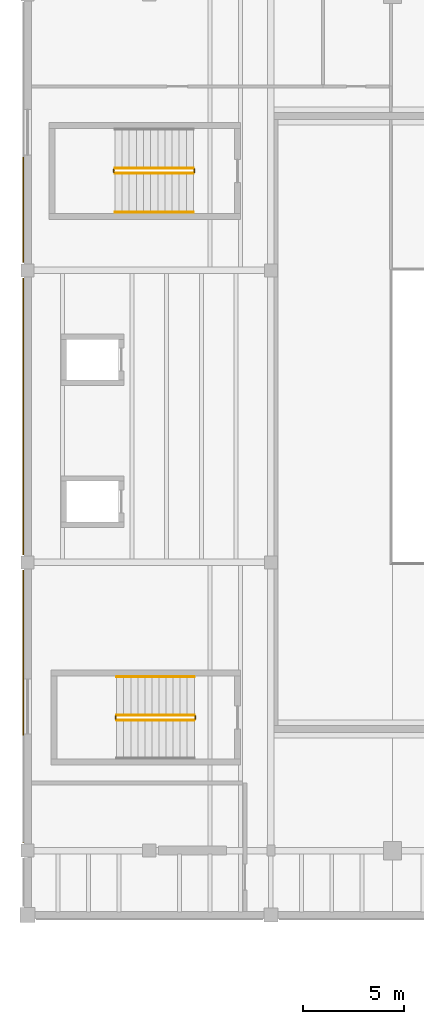
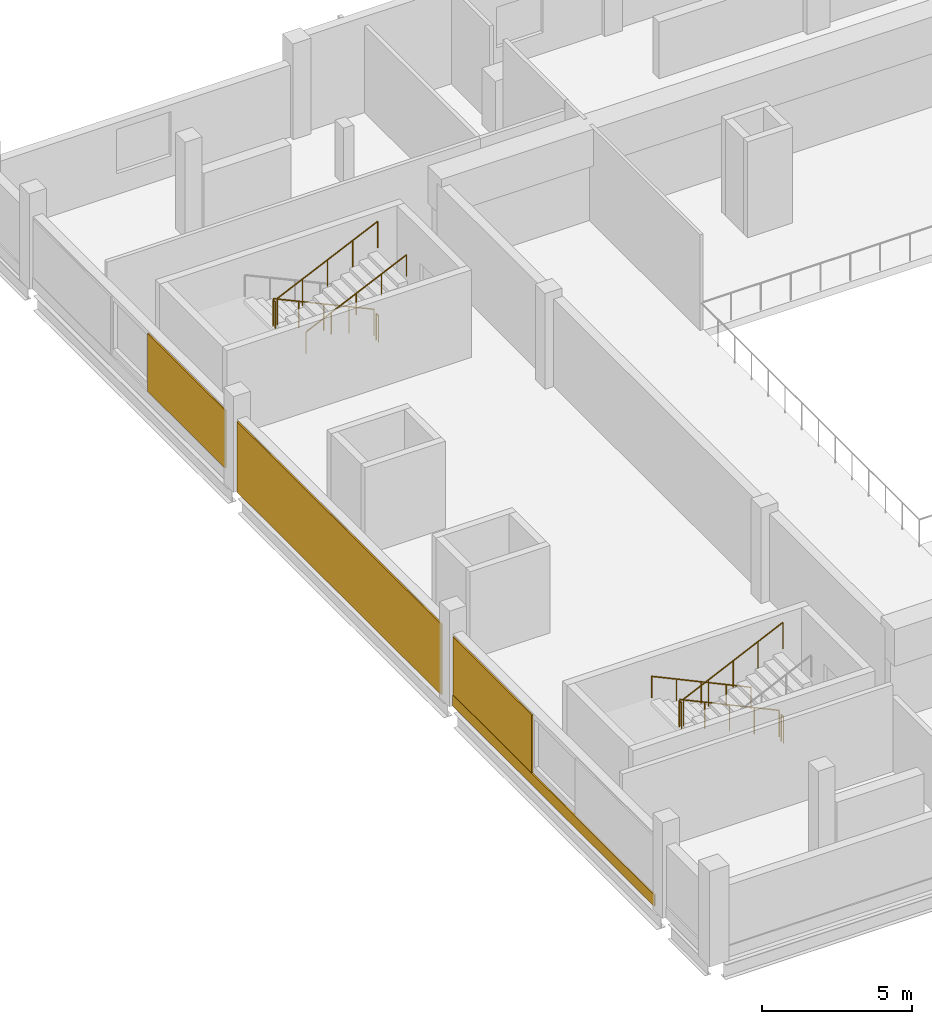
# One storey, part 14 of 19: 10 railings, 4 coverings.
"""IFC4 building model written with IfcOpenShell, lengths in metres."""

from ifc_helpers import new_model, si_unit, direction, frame, origin, origin_2d, place, context, subcontext, project, spatial, rectangle, circle, extrude, material, layer, layer_set, type_object, element, save


model = new_model("IFC4")

# Units and contexts
model_context = context("Model", 3, precision=1e-05, world=origin(), true_north=direction((0.0, 1.0)))
body_context = subcontext(model_context, "Body", "Model", "MODEL_VIEW")
ifc_project = project(units=[si_unit("LENGTHUNIT", "METRE"), si_unit("AREAUNIT", "SQUARE_METRE"), si_unit("VOLUMEUNIT", "CUBIC_METRE"), si_unit("PLANEANGLEUNIT", "RADIAN"), si_unit("MASSUNIT", "GRAM", prefix="KILO")], contexts=[model_context])

# Site, building, storey
site_placement = place(None, origin())
site = spatial("IfcSite", under=ifc_project, at=site_placement, CompositionType="ELEMENT")
building_placement = place(site_placement, origin())
building = spatial("IfcBuilding", under=site, at=building_placement, Name="Kelmvaro Bay Concert Hall", CompositionType="ELEMENT")
storey_placement = place(building_placement, frame((0.0, 0.0, 18.300048828125)))
storey = spatial("IfcBuildingStorey", under=building, at=storey_placement, Name="L04", CompositionType="ELEMENT", Elevation=18.300048828125)

# Coverings
ifc_material_1 = material(Name="Honed Florida Limestone Travertine", Category="masonry")
ifc_layer = layer(ifc_material_1, 0.054931640625)
ifc_layer_set = layer_set([ifc_layer], Name="Honed Florida Limestone Travertine")
covering_type = type_object("IfcCoveringType", Name="Honed Florida Travertine Rainscreen Cladding 55", PredefinedType="CLADDING", material=ifc_layer_set)
covering_1_placement = place(storey_placement, frame((-0.20556640625, 75.68994140625, 0.0400390625), z_axis=(0.0, 0.0, 1.0), x_axis=(0.0, 1.0, 0.0)))
element("IfcCovering", 1, at=covering_1_placement, inside=storey, type_object=covering_type, Name="L04 Travertine Sill Band 0168", PredefinedType="CLADDING", context=body_context, shape_type="SweptSolid", body=[
    extrude(rectangle(XDim=13.449951171875, YDim=0.054931640625, at=origin_2d()), origin(), (0.0, 0.0, 1.0), 0.4599609375),
])
covering_2_placement = place(storey_placement, frame((-0.20556640625, 79.767578125, 0.52001953125), z_axis=(0.0, 0.0, 1.0), x_axis=(0.0, 1.0, 0.0)))
element("IfcCovering", 2, at=covering_2_placement, inside=storey, type_object=covering_type, Name="L04 Travertine Pier Panel 0170", PredefinedType="CLADDING", context=body_context, shape_type="SweptSolid", body=[
    extrude(rectangle(XDim=5.2548828125, YDim=0.054931640625, at=origin_2d()), origin(), (0.0, 0.0, 1.0), 2.35009765625),
])
covering_3_placement = place(storey_placement, frame((-0.20556640625, 90.0, 0.02978515625), z_axis=(0.0, 0.0, 1.0), x_axis=(0.0, 1.0, 0.0)))
element("IfcCovering", 3, at=covering_3_placement, inside=storey, type_object=covering_type, Name="L04 Travertine Cladding Panel 0171", PredefinedType="CLADDING", context=body_context, shape_type="SweptSolid", body=[
    extrude(rectangle(XDim=13.6298828125, YDim=0.054931640625, at=origin_2d()), origin(), (0.0, 0.0, 1.0), 2.8701171875),
])
covering_4_placement = place(storey_placement, frame((-0.20556640625, 100.195068359375, 0.52001953125), z_axis=(0.0, 0.0, 1.0), x_axis=(0.0, 1.0, 0.0)))
element("IfcCovering", 4, at=covering_4_placement, inside=storey, type_object=covering_type, Name="L04 Travertine Pier Panel 0173", PredefinedType="CLADDING", context=body_context, shape_type="SweptSolid", body=[
    extrude(rectangle(XDim=5.179931640625, YDim=0.054931640625, at=origin_2d()), origin(), (0.0, 0.0, 1.0), 2.35009765625),
])

# Railings
ifc_material_2 = material(Name="Brushed Stainless Steel 316", Category="steel")
railing_type_1 = type_object("IfcRailingType", Name="Stair Stainless Wall Handrail 900", PredefinedType="HANDRAIL", material=ifc_material_2)
railing_1_placement = place(storey_placement, frame((8.219970703125, 77.14990234375, 0.162353515625)))
element("IfcRailing", 5, at=railing_1_placement, inside=storey, type_object=railing_type_1, Name="L04 ST-01 stair handrail 1", PredefinedType="HANDRAIL", context=body_context, shape_type="SweptSolid", body=[
    extrude(circle(Radius=0.02392578125, at=origin_2d()), frame((0.0, 0.0, 0.8759765625), z_axis=(-0.906069427972, 0.0, 0.423129048512), x_axis=(0.0, -1.0, 0.0)), (0.0, 0.0, 1.0), 4.224609375),
    extrude(circle(Radius=0.02099609375, at=origin_2d()), origin(), (0.0, 0.0, 1.0), 0.851806640625),
    extrude(circle(Radius=0.02099609375, at=origin_2d()), frame((-0.95703125, 0.0, 0.44677734375)), (0.0, 0.0, 1.0), 0.851806640625),
    extrude(circle(Radius=0.02099609375, at=origin_2d()), frame((-1.9140625, 0.0, 0.893798828125)), (0.0, 0.0, 1.0), 0.851806640625),
    extrude(circle(Radius=0.02099609375, at=origin_2d()), frame((-2.870849609375, 0.0, 1.3408203125)), (0.0, 0.0, 1.0), 0.851806640625),
    extrude(circle(Radius=0.02099609375, at=origin_2d()), frame((-3.827880859375, 0.0, 1.78759765625)), (0.0, 0.0, 1.0), 0.851806640625),
])
railing_2_placement = place(storey_placement, frame((4.30810546875, 100.06005859375, 2.112548828125)))
element("IfcRailing", 6, at=railing_2_placement, inside=storey, type_object=railing_type_1, Name="L04 ST-03 stair handrail 2", PredefinedType="HANDRAIL", context=body_context, shape_type="SweptSolid", body=[
    extrude(circle(Radius=0.02392578125, at=origin_2d()), frame((0.0, 0.0, 0.8759765625), z_axis=(0.907927545302, 0.0, 0.419127155505), x_axis=(0.0, 1.0, 0.0)), (0.0, 0.0, 1.0), 4.264404296875),
    extrude(circle(Radius=0.02099609375, at=origin_2d()), origin(), (0.0, 0.0, 1.0), 0.851806640625),
    extrude(circle(Radius=0.02099609375, at=origin_2d()), frame((0.968017578125, 0.0, 0.44677734375)), (0.0, 0.0, 1.0), 0.851806640625),
    extrude(circle(Radius=0.02099609375, at=origin_2d()), frame((1.93603515625, 0.0, 0.8935546875)), (0.0, 0.0, 1.0), 0.851806640625),
    extrude(circle(Radius=0.02099609375, at=origin_2d()), frame((2.90380859375, 0.0, 1.340576171875)), (0.0, 0.0, 1.0), 0.851806640625),
    extrude(circle(Radius=0.02099609375, at=origin_2d()), frame((3.871826171875, 0.0, 1.787353515625)), (0.0, 0.0, 1.0), 0.851806640625),
])
ifc_material_3 = material(Name="Powder-Coated Steel ASTM A500", Category="steel")
railing_type_2 = type_object("IfcRailingType", Name="Stair Well Painted Steel Guard 1100", PredefinedType="BALUSTRADE", material=ifc_material_3)
railing_3_placement = place(storey_placement, frame((8.219970703125, 75.27001953125, 0.162353515625)))
element("IfcRailing", 7, at=railing_3_placement, inside=storey, type_object=railing_type_2, Name="L04 ST-01 stair guard 1", PredefinedType="BALUSTRADE", context=body_context, shape_type="SweptSolid", body=[
    extrude(circle(Radius=0.02392578125, at=origin_2d()), frame((0.0, 0.0, 1.076171875), z_axis=(-0.906069427972, 0.0, 0.423129048512), x_axis=(0.0, -1.0, 0.0)), (0.0, 0.0, 1.0), 4.224609375),
    extrude(circle(Radius=0.02099609375, at=origin_2d()), origin(), (0.0, 0.0, 1.0), 1.052001953125),
    extrude(circle(Radius=0.02099609375, at=origin_2d()), frame((-0.95703125, 0.0, 0.44677734375)), (0.0, 0.0, 1.0), 1.052001953125),
    extrude(circle(Radius=0.02099609375, at=origin_2d()), frame((-1.9140625, 0.0, 0.893798828125)), (0.0, 0.0, 1.0), 1.052001953125),
    extrude(circle(Radius=0.02099609375, at=origin_2d()), frame((-2.870849609375, 0.0, 1.3408203125)), (0.0, 0.0, 1.0), 1.052001953125),
    extrude(circle(Radius=0.02099609375, at=origin_2d()), frame((-3.827880859375, 0.0, 1.78759765625)), (0.0, 0.0, 1.0), 1.052001953125),
])
railing_4_placement = place(storey_placement, frame((4.342041015625, 75.219970703125, 1.949951171875)))
element("IfcRailing", 8, at=railing_4_placement, inside=storey, type_object=railing_type_2, Name="L04 ST-01 stair guard 2", PredefinedType="BALUSTRADE", context=body_context, shape_type="SweptSolid", body=[
    extrude(circle(Radius=0.02392578125, at=origin_2d()), frame((0.0, 0.0, 1.076171875), z_axis=(0.0, -1.0, 0.0), x_axis=(1.0, 0.0, 0.0)), (0.0, 0.0, 1.0), 0.14990234375),
    extrude(circle(Radius=0.02099609375, at=origin_2d()), origin(), (0.0, 0.0, 1.0), 1.052001953125),
    extrude(circle(Radius=0.02099609375, at=origin_2d()), frame((0.0, -0.14990234375, 0.0)), (0.0, 0.0, 1.0), 1.052001953125),
])
railing_5_placement = place(storey_placement, frame((4.39208984375, 75.02001953125, 2.112548828125)))
element("IfcRailing", 9, at=railing_5_placement, inside=storey, type_object=railing_type_2, Name="L04 ST-01 stair guard 3", PredefinedType="BALUSTRADE", context=body_context, shape_type="SweptSolid", body=[
    extrude(circle(Radius=0.02392578125, at=origin_2d()), frame((0.0, 0.0, 1.076171875), z_axis=(0.906091582562, 0.0, 0.423081604435), x_axis=(0.0, 1.0, 0.0)), (0.0, 0.0, 1.0), 4.224609375),
    extrude(circle(Radius=0.02099609375, at=origin_2d()), origin(), (0.0, 0.0, 1.0), 1.052001953125),
    extrude(circle(Radius=0.02099609375, at=origin_2d()), frame((0.95703125, 0.0, 0.44677734375)), (0.0, 0.0, 1.0), 1.052001953125),
    extrude(circle(Radius=0.02099609375, at=origin_2d()), frame((1.9140625, 0.0, 0.8935546875)), (0.0, 0.0, 1.0), 1.052001953125),
    extrude(circle(Radius=0.02099609375, at=origin_2d()), frame((2.870849609375, 0.0, 1.340576171875)), (0.0, 0.0, 1.0), 1.052001953125),
    extrude(circle(Radius=0.02099609375, at=origin_2d()), frame((3.827880859375, 0.0, 1.787353515625)), (0.0, 0.0, 1.0), 1.052001953125),
])
railing_6_placement = place(storey_placement, frame((8.27001953125, 75.219970703125, 0.0)))
element("IfcRailing", 10, at=railing_6_placement, inside=storey, type_object=railing_type_2, Name="L04 ST-01 stair guard 4", PredefinedType="BALUSTRADE", context=body_context, shape_type="SweptSolid", body=[
    extrude(circle(Radius=0.02392578125, at=origin_2d()), frame((0.0, 0.0, 1.076171875), z_axis=(0.0, -1.0, 0.0), x_axis=(1.0, 0.0, 0.0)), (0.0, 0.0, 1.0), 0.14990234375),
    extrude(circle(Radius=0.02099609375, at=origin_2d()), origin(), (0.0, 0.0, 1.0), 1.052001953125),
    extrude(circle(Radius=0.02099609375, at=origin_2d()), frame((0.0, -0.14990234375, 0.0)), (0.0, 0.0, 1.0), 1.052001953125),
])
railing_7_placement = place(storey_placement, frame((8.179931640625, 102.22998046875, 0.162353515625)))
element("IfcRailing", 11, at=railing_7_placement, inside=storey, type_object=railing_type_2, Name="L04 ST-03 stair guard 1", PredefinedType="BALUSTRADE", context=body_context, shape_type="SweptSolid", body=[
    extrude(circle(Radius=0.02392578125, at=origin_2d()), frame((0.0, 0.0, 1.076171875), z_axis=(-0.907905758855, 0.0, 0.419174346827), x_axis=(0.0, -1.0, 0.0)), (0.0, 0.0, 1.0), 4.2646484375),
    extrude(circle(Radius=0.02099609375, at=origin_2d()), origin(), (0.0, 0.0, 1.0), 1.052001953125),
    extrude(circle(Radius=0.02099609375, at=origin_2d()), frame((-0.968017578125, 0.0, 0.44677734375)), (0.0, 0.0, 1.0), 1.052001953125),
    extrude(circle(Radius=0.02099609375, at=origin_2d()), frame((-1.93603515625, 0.0, 0.893798828125)), (0.0, 0.0, 1.0), 1.052001953125),
    extrude(circle(Radius=0.02099609375, at=origin_2d()), frame((-2.90380859375, 0.0, 1.3408203125)), (0.0, 0.0, 1.0), 1.052001953125),
    extrude(circle(Radius=0.02099609375, at=origin_2d()), frame((-3.871826171875, 0.0, 1.78759765625)), (0.0, 0.0, 1.0), 1.052001953125),
])
railing_8_placement = place(storey_placement, frame((4.258056640625, 102.179931640625, 1.949951171875)))
element("IfcRailing", 12, at=railing_8_placement, inside=storey, type_object=railing_type_2, Name="L04 ST-03 stair guard 2", PredefinedType="BALUSTRADE", context=body_context, shape_type="SweptSolid", body=[
    extrude(circle(Radius=0.02392578125, at=origin_2d()), frame((0.0, 0.0, 1.076171875), z_axis=(0.0, -1.0, 0.0), x_axis=(1.0, 0.0, 0.0)), (0.0, 0.0, 1.0), 0.14990234375),
    extrude(circle(Radius=0.02099609375, at=origin_2d()), origin(), (0.0, 0.0, 1.0), 1.052001953125),
    extrude(circle(Radius=0.02099609375, at=origin_2d()), frame((0.0, -0.14990234375, 0.0)), (0.0, 0.0, 1.0), 1.052001953125),
])
railing_9_placement = place(storey_placement, frame((4.30810546875, 101.97998046875, 2.112548828125)))
element("IfcRailing", 13, at=railing_9_placement, inside=storey, type_object=railing_type_2, Name="L04 ST-03 stair guard 3", PredefinedType="BALUSTRADE", context=body_context, shape_type="SweptSolid", body=[
    extrude(circle(Radius=0.02392578125, at=origin_2d()), frame((0.0, 0.0, 1.076171875), z_axis=(0.907927545302, 0.0, 0.419127155505), x_axis=(0.0, 1.0, 0.0)), (0.0, 0.0, 1.0), 4.264404296875),
    extrude(circle(Radius=0.02099609375, at=origin_2d()), origin(), (0.0, 0.0, 1.0), 1.052001953125),
    extrude(circle(Radius=0.02099609375, at=origin_2d()), frame((0.968017578125, 0.0, 0.44677734375)), (0.0, 0.0, 1.0), 1.052001953125),
    extrude(circle(Radius=0.02099609375, at=origin_2d()), frame((1.93603515625, 0.0, 0.8935546875)), (0.0, 0.0, 1.0), 1.052001953125),
    extrude(circle(Radius=0.02099609375, at=origin_2d()), frame((2.90380859375, 0.0, 1.340576171875)), (0.0, 0.0, 1.0), 1.052001953125),
    extrude(circle(Radius=0.02099609375, at=origin_2d()), frame((3.871826171875, 0.0, 1.787353515625)), (0.0, 0.0, 1.0), 1.052001953125),
])
railing_10_placement = place(storey_placement, frame((8.22998046875, 102.179931640625, 0.0)))
element("IfcRailing", 14, at=railing_10_placement, inside=storey, type_object=railing_type_2, Name="L04 ST-03 stair guard 4", PredefinedType="BALUSTRADE", context=body_context, shape_type="SweptSolid", body=[
    extrude(circle(Radius=0.02392578125, at=origin_2d()), frame((0.0, 0.0, 1.076171875), z_axis=(0.0, -1.0, 0.0), x_axis=(1.0, 0.0, 0.0)), (0.0, 0.0, 1.0), 0.14990234375),
    extrude(circle(Radius=0.02099609375, at=origin_2d()), origin(), (0.0, 0.0, 1.0), 1.052001953125),
    extrude(circle(Radius=0.02099609375, at=origin_2d()), frame((0.0, -0.14990234375, 0.0)), (0.0, 0.0, 1.0), 1.052001953125),
])

save(model, "model.ifc")
